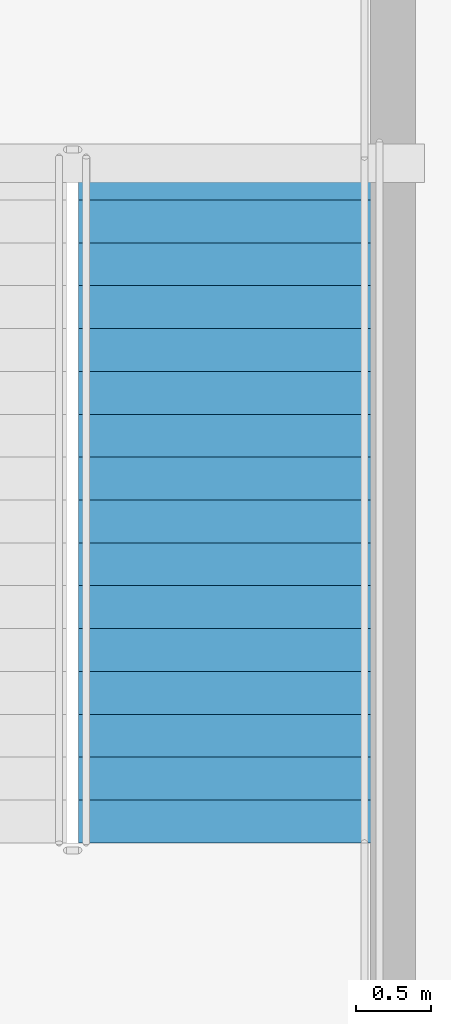
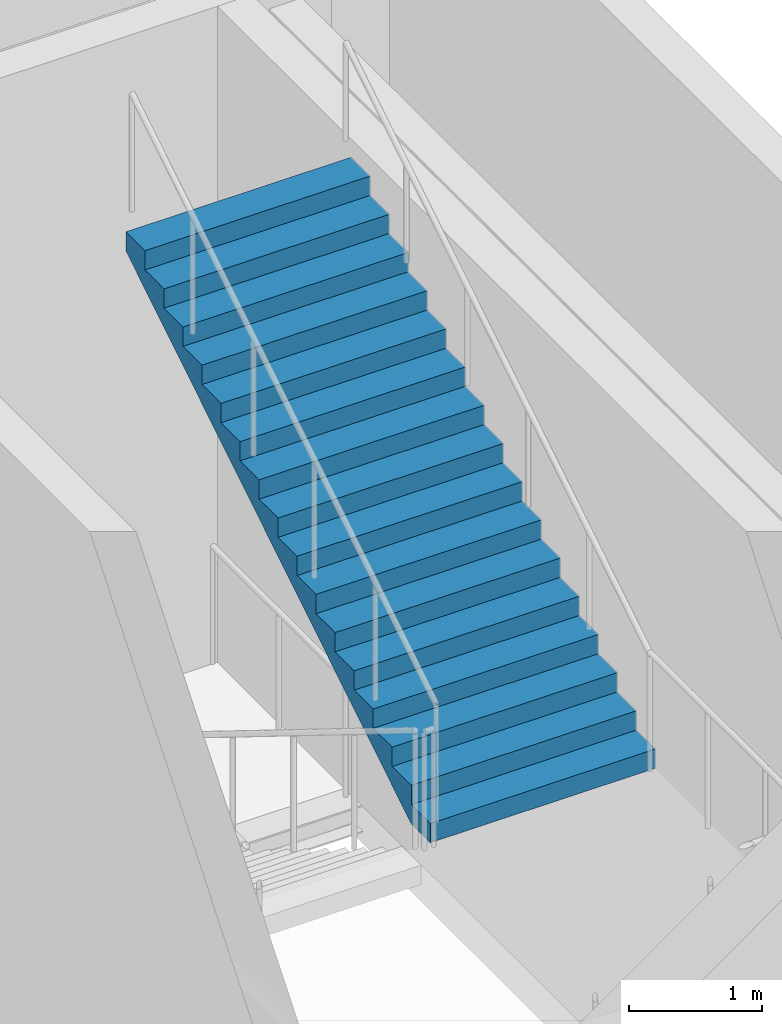
# One storey, part 10 of 17: 1 stair flight, 1 element without a shape of its own.
"""IFC4 building model written with IfcOpenShell, lengths in metres."""

from ifc_helpers import new_model, si_unit, direction, frame, origin, place, context, subcontext, project, spatial, polyline, outline, extrude, material, type_object, element, aggregate, save


model = new_model("IFC4")

# Units and contexts
model_context = context("Model", 3, precision=1e-05, world=origin(), true_north=direction((0.0, 1.0)))
body_context = subcontext(model_context, "Body", "Model", "MODEL_VIEW")
ifc_project = project(units=[si_unit("LENGTHUNIT", "METRE"), si_unit("AREAUNIT", "SQUARE_METRE"), si_unit("VOLUMEUNIT", "CUBIC_METRE"), si_unit("PLANEANGLEUNIT", "RADIAN"), si_unit("MASSUNIT", "GRAM", prefix="KILO")], contexts=[model_context])

# Site, building, storey
site_placement = place(None, origin())
site = spatial("IfcSite", under=ifc_project, at=site_placement, CompositionType="ELEMENT")
building_placement = place(site_placement, origin())
building = spatial("IfcBuilding", under=site, at=building_placement, Name="Bramvorn Convention Spire", CompositionType="ELEMENT")
storey_placement = place(building_placement, frame((0.0, 0.0, 24.0)))
storey = spatial("IfcBuildingStorey", under=building, at=storey_placement, Name="L04", CompositionType="ELEMENT", Elevation=24.0)

# Stair, stair flight
ifc_material_1 = material(Name="Concrete C40/50 Grand Exit Stair", Category="concrete")
stair_type = type_object("IfcStairType", Name="ST-PODIUM-1950", PredefinedType="HALF_TURN_STAIR", material=ifc_material_1)
stair_placement = place(storey_placement, origin())
stair = element("IfcStair", 1, at=stair_placement, inside=storey, type_object=stair_type, Name="L04 Protected Exit Stair ST5", PredefinedType="HALF_TURN_STAIR")
ifc_material_2 = material(Name="Concrete C40/50 Precast Stair Flight", Category="concrete")
stair_flight_type = type_object("IfcStairFlightType", Name="STF-PODIUM-1950", PredefinedType="STRAIGHT", material=ifc_material_2)
stair_flight_placement = place(storey_placement, frame((71.52490234375, 42.239990234375, 3.0), z_axis=(0.0, 0.0, 1.0), x_axis=(0.0, 1.0, 0.0)))
stair_flight = element("IfcStairFlight", 2, at=stair_flight_placement, type_object=stair_flight_type, Name="ST5 flight 2", NumberOfRisers=17, NumberOfTreads=16, PredefinedType="STRAIGHT", RiserHeight=0.176470588, TreadLength=0.285, context=body_context, shape_type="SweptSolid", body=[
    extrude(outline(polyline([(0.0, 0.0), (0.0, 0.176513671875), (0.284912109375, 0.176513671875), (0.284912109375, 0.35302734375), (0.570068359375, 0.35302734375), (0.570068359375, 0.529296875), (0.85498046875, 0.529296875), (0.85498046875, 0.705810546875), (1.139892578125, 0.705810546875), (1.139892578125, 0.88232421875), (1.425048828125, 0.88232421875), (1.425048828125, 1.058837890625), (1.7099609375, 1.058837890625), (1.7099609375, 1.2353515625), (1.9951171875, 1.2353515625), (1.9951171875, 1.411865234375), (2.280029296875, 1.411865234375), (2.280029296875, 1.588134765625), (2.56494140625, 1.588134765625), (2.56494140625, 1.7646484375), (2.85009765625, 1.7646484375), (2.85009765625, 1.941162109375), (3.135009765625, 1.941162109375), (3.135009765625, 2.11767578125), (3.419921875, 2.11767578125), (3.419921875, 2.294189453125), (3.705078125, 2.294189453125), (3.705078125, 2.470703125), (3.989990234375, 2.470703125), (3.989990234375, 2.64697265625), (4.27490234375, 2.64697265625), (4.27490234375, 2.823486328125), (4.56005859375, 2.823486328125), (4.56005859375, 3.0), (4.56005859375, 2.647216796875), (0.28466796875, 0.0), (0.0, 0.0)])), frame((0.0, 0.97509765625, 0.0), z_axis=(0.0, -1.0, 0.0), x_axis=(1.0, 0.0, 0.0)), (0.0, 0.0, 1.0), 1.949951171875),
])
aggregate(stair, [stair_flight])

save(model, "model.ifc")
